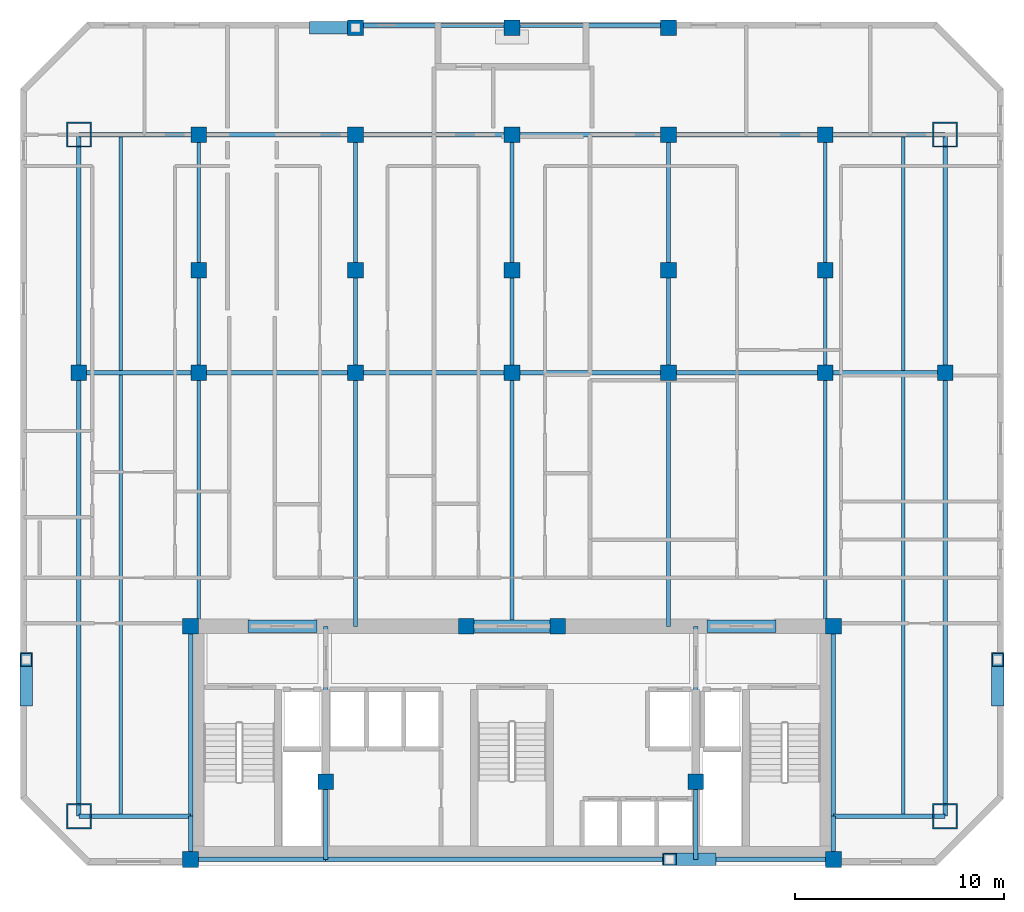
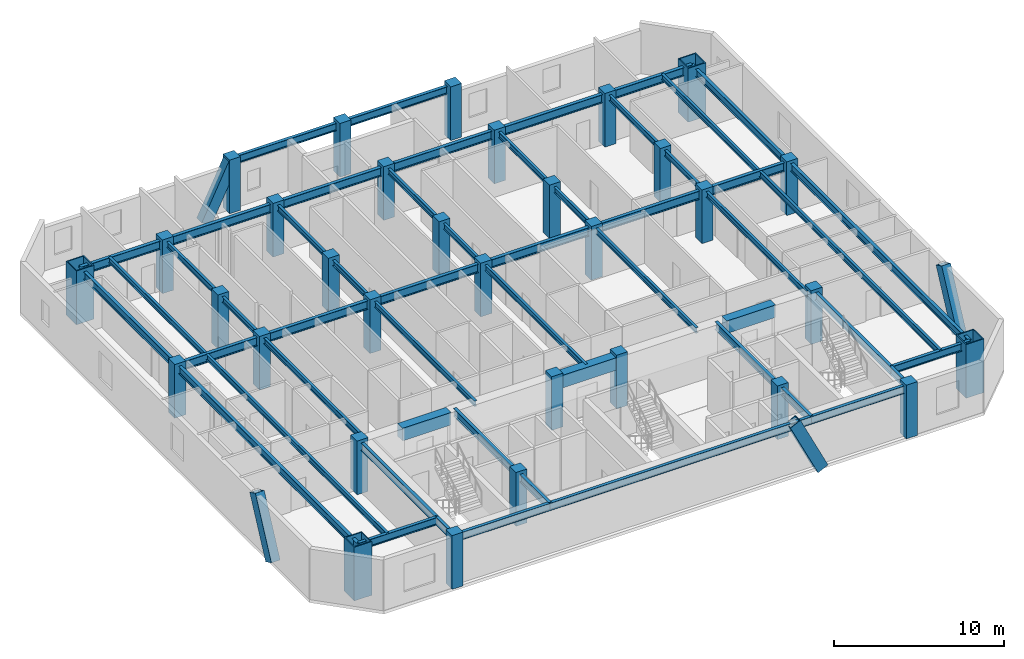
# One storey, part 1 of 8: 48 beams, 32 columns, 4 members.
"""IFC4 building model written with IfcOpenShell, lengths in metres."""

from ifc_helpers import new_model, si_unit, direction, frame, origin, origin_2d, place, context, subcontext, project, spatial, rectangle, hollow_rectangle, i_section, extrude, material, material_profile, profile_set, type_object, element, save


model = new_model("IFC4")

# Units and contexts
model_context = context("Model", 3, precision=1e-05, world=origin(), true_north=direction((0.0, 1.0)))
body_context = subcontext(model_context, "Body", "Model", "MODEL_VIEW")
ifc_project = project(units=[si_unit("LENGTHUNIT", "METRE"), si_unit("AREAUNIT", "SQUARE_METRE"), si_unit("VOLUMEUNIT", "CUBIC_METRE"), si_unit("PLANEANGLEUNIT", "RADIAN"), si_unit("MASSUNIT", "GRAM", prefix="KILO")], contexts=[model_context])

# Site, building, storey
site_placement = place(None, origin())
site = spatial("IfcSite", under=ifc_project, at=site_placement, CompositionType="ELEMENT")
building_placement = place(site_placement, origin())
building = spatial("IfcBuilding", under=site, at=building_placement, Name="Ventersveld Concourse Tower", CompositionType="ELEMENT")
storey_placement = place(building_placement, frame((0.0, 0.0, 168.300048828125)))
storey = spatial("IfcBuildingStorey", under=building, at=storey_placement, Name="L41", CompositionType="ELEMENT", Elevation=168.300048828125)

# Columns
ifc_material_1 = material(Name="Concrete C50/60", Category="concrete")
ifc_material_profile_1 = material_profile(ifc_material_1, rectangle(XDim=0.75, YDim=0.75, at=origin_2d()), Name="RC 750x750")
ifc_profile_set_1 = profile_set([ifc_material_profile_1], Name="Concrete C50/60")
column_type_1 = type_object("IfcColumnType", Name="COL-RC750", PredefinedType="COLUMN", material=ifc_profile_set_1)
for number, where, z_axis, x_axis, name in (
    (1, (13.35009765625, 0.280029296875, 0.0), (0.0, 0.0, 1.0), (1.0, 0.0, 0.0), "L41 Core Spine Column CC-SW"),
    (2, (44.14990234375, 0.280029296875, 0.0), (0.0, 0.0, 1.0), (1.0, 0.0, 0.0), "L41 Core Spine Column CC-SE"),
    (3, (13.35009765625, 11.449951171875, 0.0), (0.0, 0.0, 1.0), (1.0, 0.0, 0.0), "L41 Core Spine Column CC-NW"),
    (4, (44.14990234375, 11.449951171875, 0.0), (0.0, 0.0, 1.0), (1.0, 0.0, 0.0), "L41 Core Spine Column CC-NE"),
    (5, (19.820068359375, 4.0, 0.0), (0.0, 0.0, 1.0), (1.0, 0.0, 0.0), "L41 Core Spine Column CM-1"),
    (6, (37.550048828125, 4.0, 0.0), (0.0, 0.0, 1.0), (1.0, 0.0, 0.0), "L41 Core Spine Column CM-2"),
    (7, (26.550048828125, 11.449951171875, 0.0), (0.0, 0.0, 1.0), (1.0, 0.0, 0.0), "L41 Core Spine Column CM-3"),
    (8, (30.949951171875, 11.449951171875, 0.0), (0.0, 0.0, 1.0), (1.0, 0.0, 0.0), "L41 Core Spine Column CM-4"),
    (9, (8.0, 23.60009765625, 0.0), (0.0, 0.0, 1.0), (1.0, 0.0, 0.0), "L41 Interior Gravity Column X=8.00 Y=23.60"),
    (10, (13.75, 23.60009765625, 0.0), (0.0, 0.0, 1.0), (1.0, 0.0, 0.0), "L41 Interior Gravity Column X=13.75 Y=23.60"),
    (11, (21.25, 23.60009765625, 0.0), (0.0, 0.0, 1.0), (1.0, 0.0, 0.0), "L41 Interior Gravity Column X=21.25 Y=23.60"),
    (12, (28.75, 23.60009765625, 0.0), (0.0, 0.0, 1.0), (1.0, 0.0, 0.0), "L41 Interior Gravity Column X=28.75 Y=23.60"),
    (13, (36.25, 23.60009765625, 0.0), (0.0, 0.0, 1.0), (1.0, 0.0, 0.0), "L41 Interior Gravity Column X=36.25 Y=23.60"),
    (14, (43.75, 23.60009765625, 0.0), (0.0, 0.0, 1.0), (1.0, 0.0, 0.0), "L41 Interior Gravity Column X=43.75 Y=23.60"),
    (15, (49.5, 23.60009765625, 0.0), (0.0, 0.0, 1.0), (1.0, 0.0, 0.0), "L41 Interior Gravity Column X=49.50 Y=23.60"),
    (16, (13.75, 28.5, 0.0), (0.0, 0.0, 1.0), (1.0, 0.0, 0.0), "L41 Upper-North Gravity Column X=13.75 Y=28.50"),
    (17, (21.25, 28.5, 0.0), (0.0, 0.0, 1.0), (1.0, 0.0, 0.0), "L41 Upper-North Gravity Column X=21.25 Y=28.50"),
    (18, (28.75, 28.5, 0.0), (0.0, 0.0, 1.0), (1.0, 0.0, 0.0), "L41 Upper-North Gravity Column X=28.75 Y=28.50"),
    (19, (36.25, 28.5, 0.0), (0.0, 0.0, 1.0), (1.0, 0.0, 0.0), "L41 Upper-North Gravity Column X=36.25 Y=28.50"),
    (20, (43.75, 28.5, 0.0), (0.0, 0.0, 1.0), (1.0, 0.0, 0.0), "L41 Upper-North Gravity Column X=43.75 Y=28.50"),
    (21, (21.25, 40.1201171875, 0.0), (0.0, 0.0, 1.0), (1.0, 0.0, 0.0), "L41 North Brace Node Column X=21.25 Y=40.12"),
    (22, (28.75, 40.1201171875, 0.0), (0.0, 0.0, 1.0), (1.0, 0.0, 0.0), "L41 North Brace Node Column X=28.75 Y=40.12"),
    (23, (36.25, 40.1201171875, 0.0), (0.0, 0.0, 1.0), (1.0, 0.0, 0.0), "L41 North Brace Node Column X=36.25 Y=40.12"),
    (24, (13.75, 35.0, 0.0), (0.0, 0.0, 1.0), (1.0, 0.0, 0.0), "L41 Mid-North Column X=13.75 Y=35.00"),
    (25, (21.25, 35.0, 0.0), (0.0, 0.0, 1.0), (1.0, 0.0, 0.0), "L41 Mid-North Column X=21.25 Y=35.00"),
    (26, (28.75, 35.0, 0.0), (0.0, 0.0, 1.0), (1.0, 0.0, 0.0), "L41 Mid-North Column X=28.75 Y=35.00"),
    (27, (36.25, 35.0, 0.0), (0.0, 0.0, 1.0), (1.0, 0.0, 0.0), "L41 Mid-North Column X=36.25 Y=35.00"),
    (28, (43.75, 35.0, 0.0), (0.0, 0.0, 1.0), (1.0, 0.0, 0.0), "L41 Mid-North Column X=43.75 Y=35.00"),
):
    element("IfcColumn", number, at=place(storey_placement, frame(where, z_axis=z_axis, x_axis=x_axis)), inside=storey, type_object=column_type_1, Name=name, PredefinedType="COLUMN", context=body_context, shape_type="SweptSolid", body=[
        extrude(rectangle(XDim=0.75, YDim=0.75, at=origin_2d()), origin(), (0.0, 0.0, 1.0), 3.849853515625),
    ])
ifc_material_2 = material(Name="Structural steel S460ML", Category="steel")
ifc_material_profile_2 = material_profile(ifc_material_2, hollow_rectangle(XDim=1.199951171875, YDim=1.199951171875, WallThickness=0.070068359375, at=origin_2d()), Name="BOX 1200x1200x70")
ifc_profile_set_2 = profile_set([ifc_material_profile_2], Name="Structural steel S460ML")
column_type_2 = type_object("IfcColumnType", Name="MC-1200", PredefinedType="USERDEFINED", material=ifc_profile_set_2)
for number, where, z_axis, x_axis, name in (
    (29, (8.0, 2.35009765625, 0.0), (0.0, 0.0, 1.0), (1.0, 0.0, 0.0), "L41 Corner Mega-Column MC-SW"),
    (30, (49.5, 2.35009765625, 0.0), (0.0, 0.0, 1.0), (1.0, 0.0, 0.0), "L41 Corner Mega-Column MC-SE"),
    (31, (49.5, 35.0, 0.0), (0.0, 0.0, 1.0), (1.0, 0.0, 0.0), "L41 Corner Mega-Column MC-NE"),
    (32, (8.0, 35.0, 0.0), (0.0, 0.0, 1.0), (1.0, 0.0, 0.0), "L41 Corner Mega-Column MC-NW"),
):
    element("IfcColumn", number, at=place(storey_placement, frame(where, z_axis=z_axis, x_axis=x_axis)), inside=storey, type_object=column_type_2, Name=name, ObjectType="MEGA_COLUMN", PredefinedType="USERDEFINED", context=body_context, shape_type="SweptSolid", body=[
        extrude(hollow_rectangle(XDim=1.199951171875, YDim=1.199951171875, WallThickness=0.070068359375, at=origin_2d()), origin(), (0.0, 0.0, 1.0), 3.849853515625),
    ])

# Beams
ifc_material_3 = material(Name="Structural steel S355J2", Category="steel")
ifc_material_profile_3 = material_profile(ifc_material_3, i_section(OverallWidth=0.177978515625, OverallDepth=0.406494140625, WebThickness=0.0078125, FlangeThickness=0.0126953125, FilletRadius=0.01025390625, at=origin_2d()), Name="UB 406x178x60")
ifc_profile_set_3 = profile_set([ifc_material_profile_3], Name="Structural steel S355J2")
beam_type_1 = type_object("IfcBeamType", Name="BM-UB406", PredefinedType="BEAM", material=ifc_profile_set_3)
beam_1_placement = place(storey_placement, frame((10.0, 2.35009765625, 3.4267578125), z_axis=(0.0, 1.0, 0.0), x_axis=(-1.0, 0.0, 0.0)))
element("IfcBeam", 33, at=beam_1_placement, inside=storey, type_object=beam_type_1, Name="L41 N-S Composite Floor Beam South X=10.00", PredefinedType="BEAM", context=body_context, shape_type="SweptSolid", body=[
    extrude(i_section(OverallWidth=0.177978515625, OverallDepth=0.406494140625, WebThickness=0.0078125, FlangeThickness=0.0126953125, FilletRadius=0.01025390625, at=origin_2d()), origin(), (0.0, 0.0, 1.0), 21.15478515625),
])
beam_2_placement = place(storey_placement, frame((10.0, 23.695068359375, 3.4267578125), z_axis=(0.0, 1.0, 0.0), x_axis=(-1.0, 0.0, 0.0)))
element("IfcBeam", 34, at=beam_2_placement, inside=storey, type_object=beam_type_1, Name="L41 N-S Composite Floor Beam Mid X=10.00", PredefinedType="BEAM", context=body_context, shape_type="SweptSolid", body=[
    extrude(i_section(OverallWidth=0.177978515625, OverallDepth=0.406494140625, WebThickness=0.0078125, FlangeThickness=0.0126953125, FilletRadius=0.01025390625, at=origin_2d()), origin(), (0.0, 0.0, 1.0), 11.304931640625),
])
beam_3_placement = place(storey_placement, frame((13.75, 11.449951171875, 3.4267578125), z_axis=(0.0, 1.0, 0.0), x_axis=(-1.0, 0.0, 0.0)))
element("IfcBeam", 35, at=beam_3_placement, inside=storey, type_object=beam_type_1, Name="L41 N-S Composite Floor Beam South X=13.75", PredefinedType="BEAM", context=body_context, shape_type="SweptSolid", body=[
    extrude(i_section(OverallWidth=0.177978515625, OverallDepth=0.406494140625, WebThickness=0.0078125, FlangeThickness=0.0126953125, FilletRadius=0.01025390625, at=origin_2d()), origin(), (0.0, 0.0, 1.0), 12.150146484375),
])
beam_4_placement = place(storey_placement, frame((13.75, 23.60009765625, 3.4267578125), z_axis=(0.0, 1.0, 0.0), x_axis=(-1.0, 0.0, 0.0)))
element("IfcBeam", 36, at=beam_4_placement, inside=storey, type_object=beam_type_1, Name="L41 N-S Composite Floor Beam Mid X=13.75", PredefinedType="BEAM", context=body_context, shape_type="SweptSolid", body=[
    extrude(i_section(OverallWidth=0.177978515625, OverallDepth=0.406494140625, WebThickness=0.0078125, FlangeThickness=0.0126953125, FilletRadius=0.01025390625, at=origin_2d()), origin(), (0.0, 0.0, 1.0), 11.39990234375),
])
beam_5_placement = place(storey_placement, frame((21.25, 11.449951171875, 3.4267578125), z_axis=(0.0, 1.0, 0.0), x_axis=(-1.0, 0.0, 0.0)))
element("IfcBeam", 37, at=beam_5_placement, inside=storey, type_object=beam_type_1, Name="L41 N-S Composite Floor Beam South X=21.25", PredefinedType="BEAM", context=body_context, shape_type="SweptSolid", body=[
    extrude(i_section(OverallWidth=0.177978515625, OverallDepth=0.406494140625, WebThickness=0.0078125, FlangeThickness=0.0126953125, FilletRadius=0.01025390625, at=origin_2d()), origin(), (0.0, 0.0, 1.0), 12.150146484375),
])
beam_6_placement = place(storey_placement, frame((21.25, 23.60009765625, 3.4267578125), z_axis=(0.0, 1.0, 0.0), x_axis=(-1.0, 0.0, 0.0)))
element("IfcBeam", 38, at=beam_6_placement, inside=storey, type_object=beam_type_1, Name="L41 N-S Composite Floor Beam Mid X=21.25", PredefinedType="BEAM", context=body_context, shape_type="SweptSolid", body=[
    extrude(i_section(OverallWidth=0.177978515625, OverallDepth=0.406494140625, WebThickness=0.0078125, FlangeThickness=0.0126953125, FilletRadius=0.01025390625, at=origin_2d()), origin(), (0.0, 0.0, 1.0), 11.39990234375),
])
beam_7_placement = place(storey_placement, frame((28.75, 11.449951171875, 3.4267578125), z_axis=(0.0, 1.0, 0.0), x_axis=(-1.0, 0.0, 0.0)))
element("IfcBeam", 39, at=beam_7_placement, inside=storey, type_object=beam_type_1, Name="L41 N-S Composite Floor Beam South X=28.75", PredefinedType="BEAM", context=body_context, shape_type="SweptSolid", body=[
    extrude(i_section(OverallWidth=0.177978515625, OverallDepth=0.406494140625, WebThickness=0.0078125, FlangeThickness=0.0126953125, FilletRadius=0.01025390625, at=origin_2d()), origin(), (0.0, 0.0, 1.0), 12.150146484375),
])
beam_8_placement = place(storey_placement, frame((28.75, 23.60009765625, 3.4267578125), z_axis=(0.0, 1.0, 0.0), x_axis=(-1.0, 0.0, 0.0)))
element("IfcBeam", 40, at=beam_8_placement, inside=storey, type_object=beam_type_1, Name="L41 N-S Composite Floor Beam Mid X=28.75", PredefinedType="BEAM", context=body_context, shape_type="SweptSolid", body=[
    extrude(i_section(OverallWidth=0.177978515625, OverallDepth=0.406494140625, WebThickness=0.0078125, FlangeThickness=0.0126953125, FilletRadius=0.01025390625, at=origin_2d()), origin(), (0.0, 0.0, 1.0), 11.39990234375),
])
beam_9_placement = place(storey_placement, frame((36.25, 11.449951171875, 3.4267578125), z_axis=(0.0, 1.0, 0.0), x_axis=(-1.0, 0.0, 0.0)))
element("IfcBeam", 41, at=beam_9_placement, inside=storey, type_object=beam_type_1, Name="L41 N-S Composite Floor Beam South X=36.25", PredefinedType="BEAM", context=body_context, shape_type="SweptSolid", body=[
    extrude(i_section(OverallWidth=0.177978515625, OverallDepth=0.406494140625, WebThickness=0.0078125, FlangeThickness=0.0126953125, FilletRadius=0.01025390625, at=origin_2d()), origin(), (0.0, 0.0, 1.0), 12.150146484375),
])
beam_10_placement = place(storey_placement, frame((36.25, 23.60009765625, 3.4267578125), z_axis=(0.0, 1.0, 0.0), x_axis=(-1.0, 0.0, 0.0)))
element("IfcBeam", 42, at=beam_10_placement, inside=storey, type_object=beam_type_1, Name="L41 N-S Composite Floor Beam Mid X=36.25", PredefinedType="BEAM", context=body_context, shape_type="SweptSolid", body=[
    extrude(i_section(OverallWidth=0.177978515625, OverallDepth=0.406494140625, WebThickness=0.0078125, FlangeThickness=0.0126953125, FilletRadius=0.01025390625, at=origin_2d()), origin(), (0.0, 0.0, 1.0), 11.39990234375),
])
beam_11_placement = place(storey_placement, frame((43.75, 11.449951171875, 3.4267578125), z_axis=(0.0, 1.0, 0.0), x_axis=(-1.0, 0.0, 0.0)))
element("IfcBeam", 43, at=beam_11_placement, inside=storey, type_object=beam_type_1, Name="L41 N-S Composite Floor Beam South X=43.75", PredefinedType="BEAM", context=body_context, shape_type="SweptSolid", body=[
    extrude(i_section(OverallWidth=0.177978515625, OverallDepth=0.406494140625, WebThickness=0.0078125, FlangeThickness=0.0126953125, FilletRadius=0.01025390625, at=origin_2d()), origin(), (0.0, 0.0, 1.0), 12.150146484375),
])
beam_12_placement = place(storey_placement, frame((43.75, 23.60009765625, 3.4267578125), z_axis=(0.0, 1.0, 0.0), x_axis=(-1.0, 0.0, 0.0)))
element("IfcBeam", 44, at=beam_12_placement, inside=storey, type_object=beam_type_1, Name="L41 N-S Composite Floor Beam Mid X=43.75", PredefinedType="BEAM", context=body_context, shape_type="SweptSolid", body=[
    extrude(i_section(OverallWidth=0.177978515625, OverallDepth=0.406494140625, WebThickness=0.0078125, FlangeThickness=0.0126953125, FilletRadius=0.01025390625, at=origin_2d()), origin(), (0.0, 0.0, 1.0), 11.39990234375),
])
beam_13_placement = place(storey_placement, frame((47.5, 2.35009765625, 3.4267578125), z_axis=(0.0, 1.0, 0.0), x_axis=(-1.0, 0.0, 0.0)))
element("IfcBeam", 45, at=beam_13_placement, inside=storey, type_object=beam_type_1, Name="L41 N-S Composite Floor Beam South X=47.50", PredefinedType="BEAM", context=body_context, shape_type="SweptSolid", body=[
    extrude(i_section(OverallWidth=0.177978515625, OverallDepth=0.406494140625, WebThickness=0.0078125, FlangeThickness=0.0126953125, FilletRadius=0.01025390625, at=origin_2d()), origin(), (0.0, 0.0, 1.0), 21.15478515625),
])
beam_14_placement = place(storey_placement, frame((47.5, 23.695068359375, 3.4267578125), z_axis=(0.0, 1.0, 0.0), x_axis=(-1.0, 0.0, 0.0)))
element("IfcBeam", 46, at=beam_14_placement, inside=storey, type_object=beam_type_1, Name="L41 N-S Composite Floor Beam Mid X=47.50", PredefinedType="BEAM", context=body_context, shape_type="SweptSolid", body=[
    extrude(i_section(OverallWidth=0.177978515625, OverallDepth=0.406494140625, WebThickness=0.0078125, FlangeThickness=0.0126953125, FilletRadius=0.01025390625, at=origin_2d()), origin(), (0.0, 0.0, 1.0), 11.304931640625),
])
ifc_material_4 = material(Name="Concrete C60/75", Category="concrete")
ifc_material_profile_4 = material_profile(ifc_material_4, rectangle(XDim=0.60009765625, YDim=0.89990234375, at=origin_2d()), Name="RC 600x900")
ifc_profile_set_4 = profile_set([ifc_material_profile_4], Name="Concrete C60/75")
beam_type_2 = type_object("IfcBeamType", Name="CB-RC600x900L", PredefinedType="LINTEL", material=ifc_profile_set_4)
beam_15_placement = place(storey_placement, frame((16.10009765625, 11.449951171875, 3.179931640625), z_axis=(1.0, 0.0, 0.0), x_axis=(0.0, 1.0, 0.0)))
element("IfcBeam", 47, at=beam_15_placement, inside=storey, type_object=beam_type_2, Name="L41 Core Coupling Lintel Beam 1", PredefinedType="LINTEL", context=body_context, shape_type="SweptSolid", body=[
    extrude(rectangle(XDim=0.60009765625, YDim=0.89990234375, at=origin_2d()), origin(), (0.0, 0.0, 1.0), 3.2998046875),
])
beam_16_placement = place(storey_placement, frame((26.5, 11.449951171875, 3.179931640625), z_axis=(1.0, 0.0, 0.0), x_axis=(0.0, 1.0, 0.0)))
element("IfcBeam", 48, at=beam_16_placement, inside=storey, type_object=beam_type_2, Name="L41 Core Coupling Lintel Beam 2", PredefinedType="LINTEL", context=body_context, shape_type="SweptSolid", body=[
    extrude(rectangle(XDim=0.60009765625, YDim=0.89990234375, at=origin_2d()), origin(), (0.0, 0.0, 1.0), 4.5),
])
beam_17_placement = place(storey_placement, frame((38.10009765625, 11.449951171875, 3.179931640625), z_axis=(1.0, 0.0, 0.0), x_axis=(0.0, 1.0, 0.0)))
element("IfcBeam", 49, at=beam_17_placement, inside=storey, type_object=beam_type_2, Name="L41 Core Coupling Lintel Beam 3", PredefinedType="LINTEL", context=body_context, shape_type="SweptSolid", body=[
    extrude(rectangle(XDim=0.60009765625, YDim=0.89990234375, at=origin_2d()), origin(), (0.0, 0.0, 1.0), 3.2998046875),
])
ifc_material_profile_5 = material_profile(ifc_material_3, i_section(OverallWidth=0.2119140625, OverallDepth=0.54443359375, WebThickness=0.0126953125, FlangeThickness=0.021240234375, FilletRadius=0.0126953125, at=origin_2d()), Name="UB 533x210x122")
ifc_profile_set_5 = profile_set([ifc_material_profile_5], Name="Structural steel S355J2")
beam_type_3 = type_object("IfcBeamType", Name="GRD-UB533H", PredefinedType="T_BEAM", material=ifc_profile_set_5)
beam_18_placement = place(storey_placement, frame((13.35009765625, 0.280029296875, 3.357666015625), z_axis=(0.0, 1.0, 0.0), x_axis=(-1.0, 0.0, 0.0)))
element("IfcBeam", 50, at=beam_18_placement, inside=storey, type_object=beam_type_3, Name="L41 Core West Tie Beam S", PredefinedType="T_BEAM", context=body_context, shape_type="SweptSolid", body=[
    extrude(i_section(OverallWidth=0.2119140625, OverallDepth=0.54443359375, WebThickness=0.0126953125, FlangeThickness=0.021240234375, FilletRadius=0.0126953125, at=origin_2d()), origin(), (0.0, 0.0, 1.0), 2.070068359375),
])
beam_19_placement = place(storey_placement, frame((13.35009765625, 2.35009765625, 3.357666015625), z_axis=(0.0, 1.0, 0.0), x_axis=(-1.0, 0.0, 0.0)))
element("IfcBeam", 51, at=beam_19_placement, inside=storey, type_object=beam_type_3, Name="L41 Core West Tie Beam N", PredefinedType="T_BEAM", context=body_context, shape_type="SweptSolid", body=[
    extrude(i_section(OverallWidth=0.2119140625, OverallDepth=0.54443359375, WebThickness=0.0126953125, FlangeThickness=0.021240234375, FilletRadius=0.0126953125, at=origin_2d()), origin(), (0.0, 0.0, 1.0), 9.099853515625),
])
beam_20_placement = place(storey_placement, frame((44.14990234375, 0.280029296875, 3.357666015625), z_axis=(0.0, 1.0, 0.0), x_axis=(-1.0, 0.0, 0.0)))
element("IfcBeam", 52, at=beam_20_placement, inside=storey, type_object=beam_type_3, Name="L41 Core East Tie Beam S", PredefinedType="T_BEAM", context=body_context, shape_type="SweptSolid", body=[
    extrude(i_section(OverallWidth=0.2119140625, OverallDepth=0.54443359375, WebThickness=0.0126953125, FlangeThickness=0.021240234375, FilletRadius=0.0126953125, at=origin_2d()), origin(), (0.0, 0.0, 1.0), 2.070068359375),
])
beam_21_placement = place(storey_placement, frame((44.14990234375, 2.35009765625, 3.357666015625), z_axis=(0.0, 1.0, 0.0), x_axis=(-1.0, 0.0, 0.0)))
element("IfcBeam", 53, at=beam_21_placement, inside=storey, type_object=beam_type_3, Name="L41 Core East Tie Beam N", PredefinedType="T_BEAM", context=body_context, shape_type="SweptSolid", body=[
    extrude(i_section(OverallWidth=0.2119140625, OverallDepth=0.54443359375, WebThickness=0.0126953125, FlangeThickness=0.021240234375, FilletRadius=0.0126953125, at=origin_2d()), origin(), (0.0, 0.0, 1.0), 9.099853515625),
])
beam_22_placement = place(storey_placement, frame((13.35009765625, 0.280029296875, 3.357666015625), z_axis=(1.0, 0.0, 0.0), x_axis=(0.0, 1.0, 0.0)))
element("IfcBeam", 54, at=beam_22_placement, inside=storey, type_object=beam_type_3, Name="L41 Core South Tie Beam W", PredefinedType="T_BEAM", context=body_context, shape_type="SweptSolid", body=[
    extrude(i_section(OverallWidth=0.2119140625, OverallDepth=0.54443359375, WebThickness=0.0126953125, FlangeThickness=0.021240234375, FilletRadius=0.0126953125, at=origin_2d()), origin(), (0.0, 0.0, 1.0), 6.469970703125),
])
beam_23_placement = place(storey_placement, frame((19.820068359375, 0.280029296875, 3.357666015625), z_axis=(1.0, 0.0, 0.0), x_axis=(0.0, 1.0, 0.0)))
element("IfcBeam", 55, at=beam_23_placement, inside=storey, type_object=beam_type_3, Name="L41 Core South Tie Beam C", PredefinedType="T_BEAM", context=body_context, shape_type="SweptSolid", body=[
    extrude(i_section(OverallWidth=0.2119140625, OverallDepth=0.54443359375, WebThickness=0.0126953125, FlangeThickness=0.021240234375, FilletRadius=0.0126953125, at=origin_2d()), origin(), (0.0, 0.0, 1.0), 17.72998046875),
])
beam_24_placement = place(storey_placement, frame((37.550048828125, 0.280029296875, 3.357666015625), z_axis=(1.0, 0.0, 0.0), x_axis=(0.0, 1.0, 0.0)))
element("IfcBeam", 56, at=beam_24_placement, inside=storey, type_object=beam_type_3, Name="L41 Core South Tie Beam E", PredefinedType="T_BEAM", context=body_context, shape_type="SweptSolid", body=[
    extrude(i_section(OverallWidth=0.2119140625, OverallDepth=0.54443359375, WebThickness=0.0126953125, FlangeThickness=0.021240234375, FilletRadius=0.0126953125, at=origin_2d()), origin(), (0.0, 0.0, 1.0), 6.599853515625),
])
beam_25_placement = place(storey_placement, frame((19.820068359375, 0.280029296875, 3.357666015625), z_axis=(0.0, 1.0, 0.0), x_axis=(-1.0, 0.0, 0.0)))
element("IfcBeam", 57, at=beam_25_placement, inside=storey, type_object=beam_type_3, Name="L41 Core Spine N-S Tie Beam W1", PredefinedType="T_BEAM", context=body_context, shape_type="SweptSolid", body=[
    extrude(i_section(OverallWidth=0.2119140625, OverallDepth=0.54443359375, WebThickness=0.0126953125, FlangeThickness=0.021240234375, FilletRadius=0.0126953125, at=origin_2d()), origin(), (0.0, 0.0, 1.0), 3.719970703125),
])
beam_26_placement = place(storey_placement, frame((19.820068359375, 4.0, 3.357666015625), z_axis=(0.0, 1.0, 0.0), x_axis=(-1.0, 0.0, 0.0)))
element("IfcBeam", 58, at=beam_26_placement, inside=storey, type_object=beam_type_3, Name="L41 Core Spine N-S Tie Beam W2", PredefinedType="T_BEAM", context=body_context, shape_type="SweptSolid", body=[
    extrude(i_section(OverallWidth=0.2119140625, OverallDepth=0.54443359375, WebThickness=0.0126953125, FlangeThickness=0.021240234375, FilletRadius=0.0126953125, at=origin_2d()), origin(), (0.0, 0.0, 1.0), 7.449951171875),
])
beam_27_placement = place(storey_placement, frame((37.550048828125, 0.280029296875, 3.357666015625), z_axis=(0.0, 1.0, 0.0), x_axis=(-1.0, 0.0, 0.0)))
element("IfcBeam", 59, at=beam_27_placement, inside=storey, type_object=beam_type_3, Name="L41 Core Spine N-S Tie Beam E1", PredefinedType="T_BEAM", context=body_context, shape_type="SweptSolid", body=[
    extrude(i_section(OverallWidth=0.2119140625, OverallDepth=0.54443359375, WebThickness=0.0126953125, FlangeThickness=0.021240234375, FilletRadius=0.0126953125, at=origin_2d()), origin(), (0.0, 0.0, 1.0), 3.719970703125),
])
beam_28_placement = place(storey_placement, frame((37.550048828125, 4.0, 3.357666015625), z_axis=(0.0, 1.0, 0.0), x_axis=(-1.0, 0.0, 0.0)))
element("IfcBeam", 60, at=beam_28_placement, inside=storey, type_object=beam_type_3, Name="L41 Core Spine N-S Tie Beam E2", PredefinedType="T_BEAM", context=body_context, shape_type="SweptSolid", body=[
    extrude(i_section(OverallWidth=0.2119140625, OverallDepth=0.54443359375, WebThickness=0.0126953125, FlangeThickness=0.021240234375, FilletRadius=0.0126953125, at=origin_2d()), origin(), (0.0, 0.0, 1.0), 7.449951171875),
])
ifc_material_profile_6 = material_profile(ifc_material_3, i_section(OverallWidth=0.230224609375, OverallDepth=0.6171875, WebThickness=0.01318359375, FlangeThickness=0.022216796875, FilletRadius=0.0126953125, at=origin_2d()), Name="UB 610x229x140")
ifc_profile_set_6 = profile_set([ifc_material_profile_6], Name="Structural steel S355J2")
beam_type_4 = type_object("IfcBeamType", Name="GRD-UB610", PredefinedType="USERDEFINED", material=ifc_profile_set_6)
beam_29_placement = place(storey_placement, frame((8.0, 23.60009765625, 3.3212890625), z_axis=(1.0, 0.0, 0.0), x_axis=(0.0, 1.0, 0.0)))
element("IfcBeam", 61, at=beam_29_placement, inside=storey, type_object=beam_type_4, Name="L41 Primary E-W Grid Girder Y=23.60 #1", ObjectType="GIRDER", PredefinedType="USERDEFINED", context=body_context, shape_type="SweptSolid", body=[
    extrude(i_section(OverallWidth=0.230224609375, OverallDepth=0.6171875, WebThickness=0.01318359375, FlangeThickness=0.022216796875, FilletRadius=0.0126953125, at=origin_2d()), origin(), (0.0, 0.0, 1.0), 5.75),
])
for number, where, z_axis, x_axis, name in (
    (62, (13.75, 23.60009765625, 3.3212890625), (1.0, 0.0, 0.0), (0.0, 1.0, 0.0), "L41 Primary E-W Grid Girder Y=23.60 #2"),
    (63, (21.25, 23.60009765625, 3.3212890625), (1.0, 0.0, 0.0), (0.0, 1.0, 0.0), "L41 Primary E-W Grid Girder Y=23.60 #3"),
    (64, (28.75, 23.60009765625, 3.3212890625), (1.0, 0.0, 0.0), (0.0, 1.0, 0.0), "L41 Primary E-W Grid Girder Y=23.60 #4"),
    (65, (36.25, 23.60009765625, 3.3212890625), (1.0, 0.0, 0.0), (0.0, 1.0, 0.0), "L41 Primary E-W Grid Girder Y=23.60 #5"),
):
    element("IfcBeam", number, at=place(storey_placement, frame(where, z_axis=z_axis, x_axis=x_axis)), inside=storey, type_object=beam_type_4, Name=name, ObjectType="GIRDER", PredefinedType="USERDEFINED", context=body_context, shape_type="SweptSolid", body=[
        extrude(i_section(OverallWidth=0.230224609375, OverallDepth=0.6171875, WebThickness=0.01318359375, FlangeThickness=0.022216796875, FilletRadius=0.0126953125, at=origin_2d()), origin(), (0.0, 0.0, 1.0), 7.5),
    ])
for number, where, z_axis, x_axis, name in (
    (66, (43.75, 23.60009765625, 3.3212890625), (1.0, 0.0, 0.0), (0.0, 1.0, 0.0), "L41 Primary E-W Grid Girder Y=23.60 #6"),
    (67, (8.0, 35.0, 3.3212890625), (1.0, 0.0, 0.0), (0.0, 1.0, 0.0), "L41 E-W Grid Girder Y=35.00 #1"),
):
    element("IfcBeam", number, at=place(storey_placement, frame(where, z_axis=z_axis, x_axis=x_axis)), inside=storey, type_object=beam_type_4, Name=name, ObjectType="GIRDER", PredefinedType="USERDEFINED", context=body_context, shape_type="SweptSolid", body=[
        extrude(i_section(OverallWidth=0.230224609375, OverallDepth=0.6171875, WebThickness=0.01318359375, FlangeThickness=0.022216796875, FilletRadius=0.0126953125, at=origin_2d()), origin(), (0.0, 0.0, 1.0), 5.75),
    ])
for number, where, z_axis, x_axis, name in (
    (68, (13.75, 35.0, 3.3212890625), (1.0, 0.0, 0.0), (0.0, 1.0, 0.0), "L41 E-W Grid Girder Y=35.00 #2"),
    (69, (21.25, 35.0, 3.3212890625), (1.0, 0.0, 0.0), (0.0, 1.0, 0.0), "L41 E-W Grid Girder Y=35.00 #3"),
    (70, (28.75, 35.0, 3.3212890625), (1.0, 0.0, 0.0), (0.0, 1.0, 0.0), "L41 E-W Grid Girder Y=35.00 #4"),
    (71, (36.25, 35.0, 3.3212890625), (1.0, 0.0, 0.0), (0.0, 1.0, 0.0), "L41 E-W Grid Girder Y=35.00 #5"),
):
    element("IfcBeam", number, at=place(storey_placement, frame(where, z_axis=z_axis, x_axis=x_axis)), inside=storey, type_object=beam_type_4, Name=name, ObjectType="GIRDER", PredefinedType="USERDEFINED", context=body_context, shape_type="SweptSolid", body=[
        extrude(i_section(OverallWidth=0.230224609375, OverallDepth=0.6171875, WebThickness=0.01318359375, FlangeThickness=0.022216796875, FilletRadius=0.0126953125, at=origin_2d()), origin(), (0.0, 0.0, 1.0), 7.5),
    ])
beam_30_placement = place(storey_placement, frame((43.75, 35.0, 3.3212890625), z_axis=(1.0, 0.0, 0.0), x_axis=(0.0, 1.0, 0.0)))
element("IfcBeam", 72, at=beam_30_placement, inside=storey, type_object=beam_type_4, Name="L41 E-W Grid Girder Y=35.00 #6", ObjectType="GIRDER", PredefinedType="USERDEFINED", context=body_context, shape_type="SweptSolid", body=[
    extrude(i_section(OverallWidth=0.230224609375, OverallDepth=0.6171875, WebThickness=0.01318359375, FlangeThickness=0.022216796875, FilletRadius=0.0126953125, at=origin_2d()), origin(), (0.0, 0.0, 1.0), 5.75),
])

# Members
ifc_material_5 = material(Name="Structural steel S355ML", Category="steel")
ifc_material_profile_7 = material_profile(ifc_material_5, hollow_rectangle(XDim=0.60009765625, YDim=0.75, WallThickness=0.0400390625, at=origin_2d()), Name="BOX 750x600x40")
ifc_profile_set_7 = profile_set([ifc_material_profile_7], Name="Structural steel S355ML")
member_type = type_object("IfcMemberType", Name="MB-750x600", PredefinedType="BRACE", material=ifc_profile_set_7)
for number, where, z_axis, x_axis, name in (
    (73, (19.375, 40.1201171875, -0.219970703125), (0.437861906815, 0.0, 0.899042240699), (0.0, 1.0, 0.0), "L41 Exterior Mega-Brace N (Module M09)"),
    (74, (38.175048828125, 0.280029296875, -0.219970703125), (-0.437861906815, 0.0, 0.899042240699), (0.0, -1.0, 0.0), "L41 Exterior Mega-Brace S (Module M09)"),
    (75, (5.47998046875, 7.97509765625, -0.219970703125), (0.0, 0.437861906815, 0.899042240699), (-1.0, 0.0, 0.0), "L41 Exterior Mega-Brace W (Module M09)"),
    (76, (52.02001953125, 7.97509765625, -0.219970703125), (0.0, 0.437861906815, 0.899042240699), (-1.0, 0.0, 0.0), "L41 Exterior Mega-Brace E (Module M09)"),
):
    element("IfcMember", number, at=place(storey_placement, frame(where, z_axis=z_axis, x_axis=x_axis)), inside=storey, type_object=member_type, Name=name, PredefinedType="BRACE", context=body_context, shape_type="SweptSolid", body=[
        extrude(hollow_rectangle(XDim=0.60009765625, YDim=0.75, WallThickness=0.0400390625, at=origin_2d()), origin(), (0.0, 0.0, 1.0), 4.2822265625),
    ])

# Beams
ifc_material_profile_8 = material_profile(ifc_material_3, i_section(OverallWidth=0.2119140625, OverallDepth=0.54443359375, WebThickness=0.0126953125, FlangeThickness=0.021240234375, FilletRadius=0.0126953125, at=origin_2d()), Name="UB 533x210x122")
ifc_profile_set_8 = profile_set([ifc_material_profile_8], Name="Structural steel S355J2")
beam_type_5 = type_object("IfcBeamType", Name="SPD-UB533", PredefinedType="SPANDREL", material=ifc_profile_set_8)
for number, where, z_axis, x_axis, name in (
    (77, (8.0, 2.35009765625, 3.357666015625), (1.0, 0.0, 0.0), (0.0, 1.0, 0.0), "L41 SW Spandrel Beam"),
    (78, (44.14990234375, 2.35009765625, 3.357666015625), (1.0, 0.0, 0.0), (0.0, 1.0, 0.0), "L41 SE Spandrel Beam"),
):
    element("IfcBeam", number, at=place(storey_placement, frame(where, z_axis=z_axis, x_axis=x_axis)), inside=storey, type_object=beam_type_5, Name=name, PredefinedType="SPANDREL", context=body_context, shape_type="SweptSolid", body=[
        extrude(i_section(OverallWidth=0.2119140625, OverallDepth=0.54443359375, WebThickness=0.0126953125, FlangeThickness=0.021240234375, FilletRadius=0.0126953125, at=origin_2d()), origin(), (0.0, 0.0, 1.0), 5.35009765625),
    ])
beam_31_placement = place(storey_placement, frame((8.0, 2.35009765625, 3.357666015625), z_axis=(0.0, 1.0, 0.0), x_axis=(-1.0, 0.0, 0.0)))
element("IfcBeam", 79, at=beam_31_placement, inside=storey, type_object=beam_type_5, Name="L41 West Spandrel Beam S", PredefinedType="SPANDREL", context=body_context, shape_type="SweptSolid", body=[
    extrude(i_section(OverallWidth=0.2119140625, OverallDepth=0.54443359375, WebThickness=0.0126953125, FlangeThickness=0.021240234375, FilletRadius=0.0126953125, at=origin_2d()), origin(), (0.0, 0.0, 1.0), 21.25),
])
beam_32_placement = place(storey_placement, frame((8.0, 23.60009765625, 3.357666015625), z_axis=(0.0, 1.0, 0.0), x_axis=(-1.0, 0.0, 0.0)))
element("IfcBeam", 80, at=beam_32_placement, inside=storey, type_object=beam_type_5, Name="L41 West Spandrel Beam N", PredefinedType="SPANDREL", context=body_context, shape_type="SweptSolid", body=[
    extrude(i_section(OverallWidth=0.2119140625, OverallDepth=0.54443359375, WebThickness=0.0126953125, FlangeThickness=0.021240234375, FilletRadius=0.0126953125, at=origin_2d()), origin(), (0.0, 0.0, 1.0), 11.39990234375),
])
beam_33_placement = place(storey_placement, frame((49.5, 2.35009765625, 3.357666015625), z_axis=(0.0, 1.0, 0.0), x_axis=(-1.0, 0.0, 0.0)))
element("IfcBeam", 81, at=beam_33_placement, inside=storey, type_object=beam_type_5, Name="L41 East Spandrel Beam S", PredefinedType="SPANDREL", context=body_context, shape_type="SweptSolid", body=[
    extrude(i_section(OverallWidth=0.2119140625, OverallDepth=0.54443359375, WebThickness=0.0126953125, FlangeThickness=0.021240234375, FilletRadius=0.0126953125, at=origin_2d()), origin(), (0.0, 0.0, 1.0), 21.25),
])
beam_34_placement = place(storey_placement, frame((49.5, 23.60009765625, 3.357666015625), z_axis=(0.0, 1.0, 0.0), x_axis=(-1.0, 0.0, 0.0)))
element("IfcBeam", 82, at=beam_34_placement, inside=storey, type_object=beam_type_5, Name="L41 East Spandrel Beam N", PredefinedType="SPANDREL", context=body_context, shape_type="SweptSolid", body=[
    extrude(i_section(OverallWidth=0.2119140625, OverallDepth=0.54443359375, WebThickness=0.0126953125, FlangeThickness=0.021240234375, FilletRadius=0.0126953125, at=origin_2d()), origin(), (0.0, 0.0, 1.0), 11.39990234375),
])
for number, where, z_axis, x_axis, name in (
    (83, (21.25, 40.25, 3.357666015625), (1.0, 0.0, 0.0), (0.0, 1.0, 0.0), "L41 Terrace Edge Spandrel W"),
    (84, (28.75, 40.25, 3.357666015625), (1.0, 0.0, 0.0), (0.0, 1.0, 0.0), "L41 Terrace Edge Spandrel E"),
):
    element("IfcBeam", number, at=place(storey_placement, frame(where, z_axis=z_axis, x_axis=x_axis)), inside=storey, type_object=beam_type_5, Name=name, PredefinedType="SPANDREL", context=body_context, shape_type="SweptSolid", body=[
        extrude(i_section(OverallWidth=0.2119140625, OverallDepth=0.54443359375, WebThickness=0.0126953125, FlangeThickness=0.021240234375, FilletRadius=0.0126953125, at=origin_2d()), origin(), (0.0, 0.0, 1.0), 7.5),
    ])

save(model, "model.ifc")
